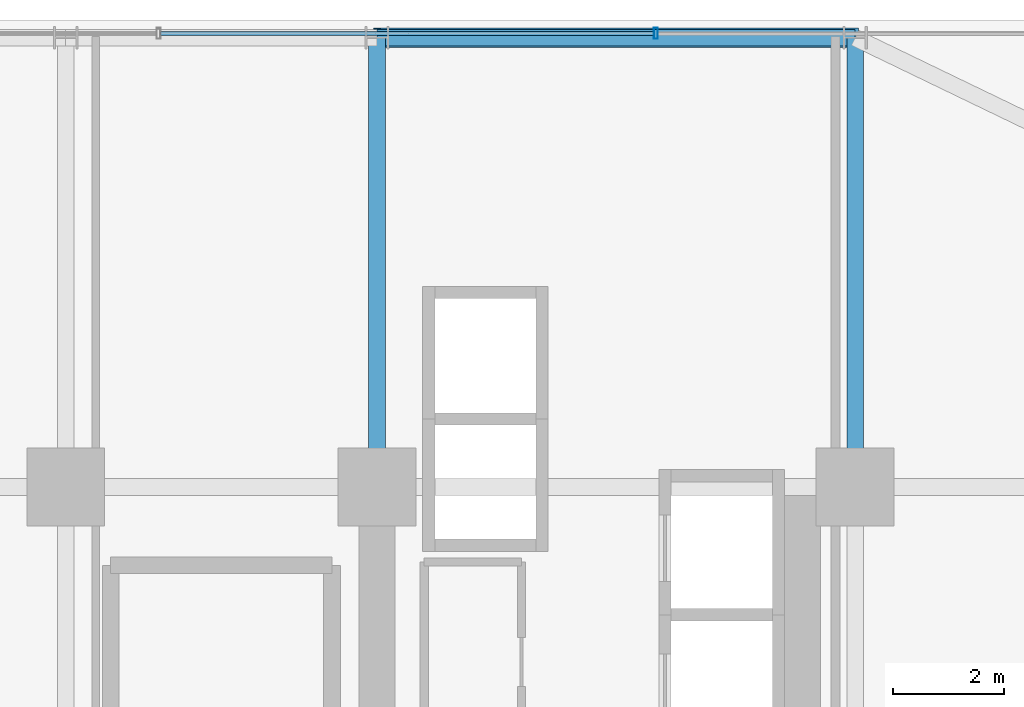
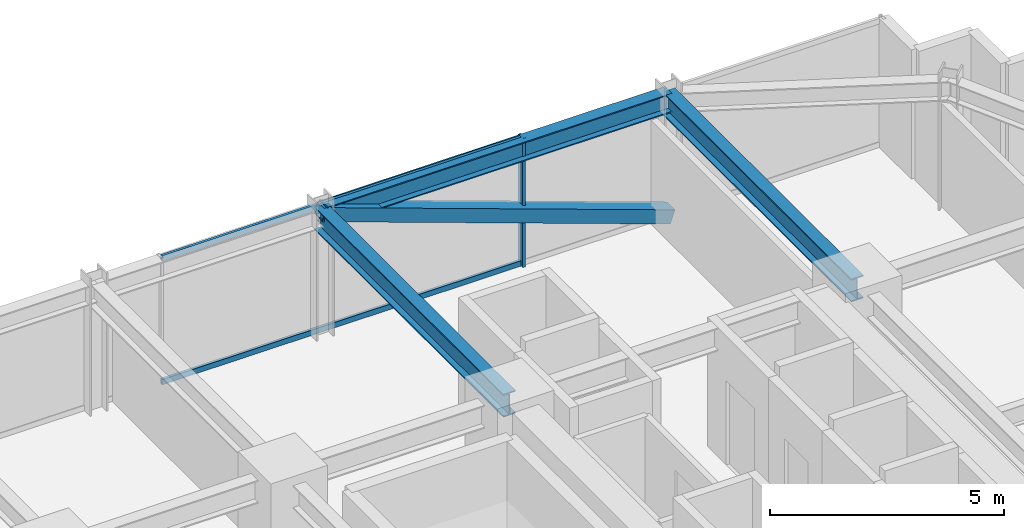
# One storey, part 32 of 43: 4 members, 3 beams, 1 element without a shape of its own.
"""IFC4 building model written with IfcOpenShell, lengths in metres."""

from ifc_helpers import new_model, si_unit, direction, frame, origin, origin_2d, place, context, subcontext, project, spatial, hollow_rectangle, i_section, extrude, source, transform, mapped, material, material_profile, profile_set, type_object, element, aggregate, save


model = new_model("IFC4")

# Units and contexts
model_context = context("Model", 3, precision=1e-05, world=origin(), true_north=direction((0.0, 1.0)))
body_context = subcontext(model_context, "Body", "Model", "MODEL_VIEW")
ifc_project = project(units=[si_unit("LENGTHUNIT", "METRE"), si_unit("AREAUNIT", "SQUARE_METRE"), si_unit("VOLUMEUNIT", "CUBIC_METRE"), si_unit("PLANEANGLEUNIT", "RADIAN"), si_unit("MASSUNIT", "GRAM", prefix="KILO")], contexts=[model_context])

# Site, building, storey
site_placement = place(None, origin())
site = spatial("IfcSite", under=ifc_project, at=site_placement, CompositionType="ELEMENT")
building_placement = place(site_placement, origin())
building = spatial("IfcBuilding", under=site, at=building_placement, Name="Nahalor Promenade Grand Hotel", CompositionType="ELEMENT")
storey_placement = place(building_placement, frame((0.0, 0.0, 57.949951171875)))
storey = spatial("IfcBuildingStorey", under=building, at=storey_placement, Name="L13", CompositionType="ELEMENT", Elevation=57.949951171875)

# Beams
ifc_material_1 = material(Name="Steel S355JR", Category="steel")
ifc_material_profile_1 = material_profile(ifc_material_1, i_section(OverallWidth=0.3, OverallDepth=0.5, WebThickness=0.0145, FlangeThickness=0.028, at=origin_2d()), Name="HEB 500")
ifc_profile_set_1 = profile_set([ifc_material_profile_1], Name="Steel S355JR")
beam_type_1 = type_object("IfcBeamType", Name="Beam-Spandrel-HEB500", PredefinedType="SPANDREL", material=ifc_profile_set_1)
shared_shape_1 = source(origin(), body_context, "Body", "SweptSolid", [
    extrude(i_section(OverallWidth=0.3, OverallDepth=0.5, WebThickness=0.0145, FlangeThickness=0.028, at=origin_2d()), origin(), (0.0, 0.0, 1.0), 8.60009765625),
])
beam_placement = place(storey_placement, frame((8.39990234375, 25.080078125, 3.1201171875), z_axis=(1.0, 0.0, 0.0), x_axis=(0.0, 1.0, 0.0)))
element("IfcBeam", 1, at=beam_placement, inside=storey, type_object=beam_type_1, Name="BM-L13-SP-N-4", PredefinedType="SPANDREL", context=body_context, shape_type="MappedRepresentation", body=[
    mapped(shared_shape_1, transform((0.0, 0.0, 0.0), scale=1.0)),
])
ifc_material_profile_2 = material_profile(ifc_material_1, i_section(OverallWidth=0.3, OverallDepth=0.6, WebThickness=0.0155, FlangeThickness=0.03, at=origin_2d()), Name="HEB 600")
ifc_profile_set_2 = profile_set([ifc_material_profile_2], Name="Steel S355JR")
beam_type_2 = type_object("IfcBeamType", Name="Beam-Girder-HEB600", PredefinedType="BEAM", material=ifc_profile_set_2)
shared_shape_2 = source(origin(), body_context, "Body", "SweptSolid", [
    extrude(i_section(OverallWidth=0.3, OverallDepth=0.6, WebThickness=0.0155, FlangeThickness=0.03, at=origin_2d()), origin(), (0.0, 0.0, 1.0), 8.080078125),
])
for number, where, z_axis, x_axis, name in (
    (2, (8.39990234375, 17.0, 3.070068359375), (0.0, 1.0, 0.0), (-1.0, 0.0, 0.0), "BM-L13-GY-4-4"),
    (3, (17.0, 17.0, 3.070068359375), (0.0, 1.0, 0.0), (-1.0, 0.0, 0.0), "BM-L13-GY-5-4"),
):
    element("IfcBeam", number, at=place(storey_placement, frame(where, z_axis=z_axis, x_axis=x_axis)), inside=storey, type_object=beam_type_2, Name=name, PredefinedType="BEAM", context=body_context, shape_type="MappedRepresentation", body=[
        mapped(shared_shape_2, transform((0.0, 0.0, 0.0), scale=1.0)),
    ])

# Member
ifc_material_profile_3 = material_profile(ifc_material_1, hollow_rectangle(XDim=0.35, YDim=0.35, WallThickness=0.02, at=origin_2d()), Name="SHS 350x350x20")
ifc_profile_set_3 = profile_set([ifc_material_profile_3], Name="Steel S355JR")
member_type_1 = type_object("IfcMemberType", Name="Mem-VoidBrace-SHS350", PredefinedType="BRACE", material=ifc_profile_set_3)
shared_shape_3 = source(origin(), body_context, "Body", "SweptSolid", [
    extrude(hollow_rectangle(XDim=0.35, YDim=0.35, WallThickness=0.02, at=origin_2d()), origin(), (0.0, 0.0, 1.0), 9.131591796875),
])
member_1_placement = place(storey_placement, frame((17.0, 25.080078125, 0.150146484375), z_axis=(-0.941798757288, 0.0, 0.336177186571), x_axis=(0.0, -1.0, 0.0)))
element("IfcMember", 4, at=member_1_placement, inside=storey, type_object=member_type_1, Name="EXO-L13-N-1", PredefinedType="BRACE", context=body_context, shape_type="MappedRepresentation", body=[
    mapped(shared_shape_3, transform((0.0, 0.0, 0.0), scale=1.0)),
])

# Curtain wall, members
ifc_material_2 = material(Name="Anodised Bronze Aluminium EN AW-6063 T6", Category="aluminium")
curtain_wall_type = type_object("IfcCurtainWallType", Name="CW3 Elliptical-Void Collar Unitised Curtain Wall", PredefinedType="USERDEFINED", material=ifc_material_2)
curtain_wall_placement = place(storey_placement, origin())
curtain_wall = element("IfcCurtainWall", 5, at=curtain_wall_placement, inside=storey, type_object=curtain_wall_type, Name="L13 Curtain Wall CW-L13-N-1", ObjectType="UNITISED_CURTAIN_WALL", PredefinedType="USERDEFINED")
ifc_material_profile_4 = material_profile(ifc_material_2, hollow_rectangle(XDim=0.07, YDim=0.14, WallThickness=0.004, at=origin_2d()), Name="CWT 70x140x4")
ifc_profile_set_4 = profile_set([ifc_material_profile_4], Name="Anodised Bronze Aluminium EN AW-6063 T6")
member_type_2 = type_object("IfcMemberType", Name="CWT3 Void Collar Transom 70x140", PredefinedType="USERDEFINED", material=ifc_profile_set_4)
shared_shape_4 = source(origin(), body_context, "Body", "SweptSolid", [
    extrude(hollow_rectangle(XDim=0.07, YDim=0.14, WallThickness=0.004, at=origin_2d()), origin(), (0.0, 0.0, 1.0), 8.8740234375),
])
member_2_placement = place(storey_placement, frame((4.507080078125, 25.159912109375, 0.070068359375), z_axis=(1.0, 0.0, 0.0), x_axis=(0.0, 1.0, 0.0)))
member_2 = element("IfcMember", 6, at=member_2_placement, type_object=member_type_2, Name="CW-L13-N-1 Transom 3-0", ObjectType="TRANSOM", PredefinedType="USERDEFINED", context=body_context, shape_type="MappedRepresentation", body=[
    mapped(shared_shape_4, transform((0.0, 0.0, 0.0), scale=1.0)),
])
member_3_placement = place(storey_placement, frame((4.507080078125, 25.159912109375, 3.300048828125), z_axis=(1.0, 0.0, 0.0), x_axis=(0.0, 1.0, 0.0)))
member_3 = element("IfcMember", 7, at=member_3_placement, type_object=member_type_2, Name="CW-L13-N-1 Transom 3-1", ObjectType="TRANSOM", PredefinedType="USERDEFINED", context=body_context, shape_type="MappedRepresentation", body=[
    mapped(shared_shape_4, transform((0.0, 0.0, 0.0), scale=1.0)),
])
ifc_material_profile_5 = material_profile(ifc_material_2, hollow_rectangle(XDim=0.07, YDim=0.2, WallThickness=0.005, at=origin_2d()), Name="CWM 70x200x5")
ifc_profile_set_5 = profile_set([ifc_material_profile_5], Name="Anodised Bronze Aluminium EN AW-6063 T6")
member_type_3 = type_object("IfcMemberType", Name="CWM3 Void Collar Mullion 70x200", PredefinedType="MULLION", material=ifc_profile_set_5)
shared_shape_5 = source(origin(), body_context, "Body", "SweptSolid", [
    extrude(hollow_rectangle(XDim=0.07, YDim=0.2, WallThickness=0.005, at=origin_2d()), origin(), (0.0, 0.0, 1.0), 3.3701171875),
])
member_4_placement = place(storey_placement, frame((13.416015625, 25.159912109375, 0.0), z_axis=(0.0, 0.0, 1.0), x_axis=(1.0, 0.0, 0.0)))
member_4 = element("IfcMember", 8, at=member_4_placement, type_object=member_type_3, Name="CW-L13-N-1 Mullion 4", PredefinedType="MULLION", context=body_context, shape_type="MappedRepresentation", body=[
    mapped(shared_shape_5, transform((0.0, 0.0, 0.0), scale=1.0)),
])
aggregate(curtain_wall, [member_4, member_2, member_3])

save(model, "model.ifc")
